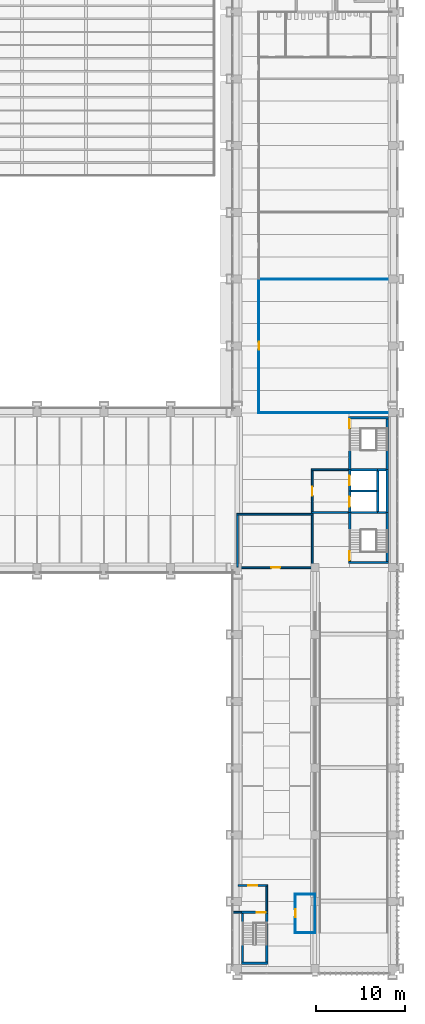
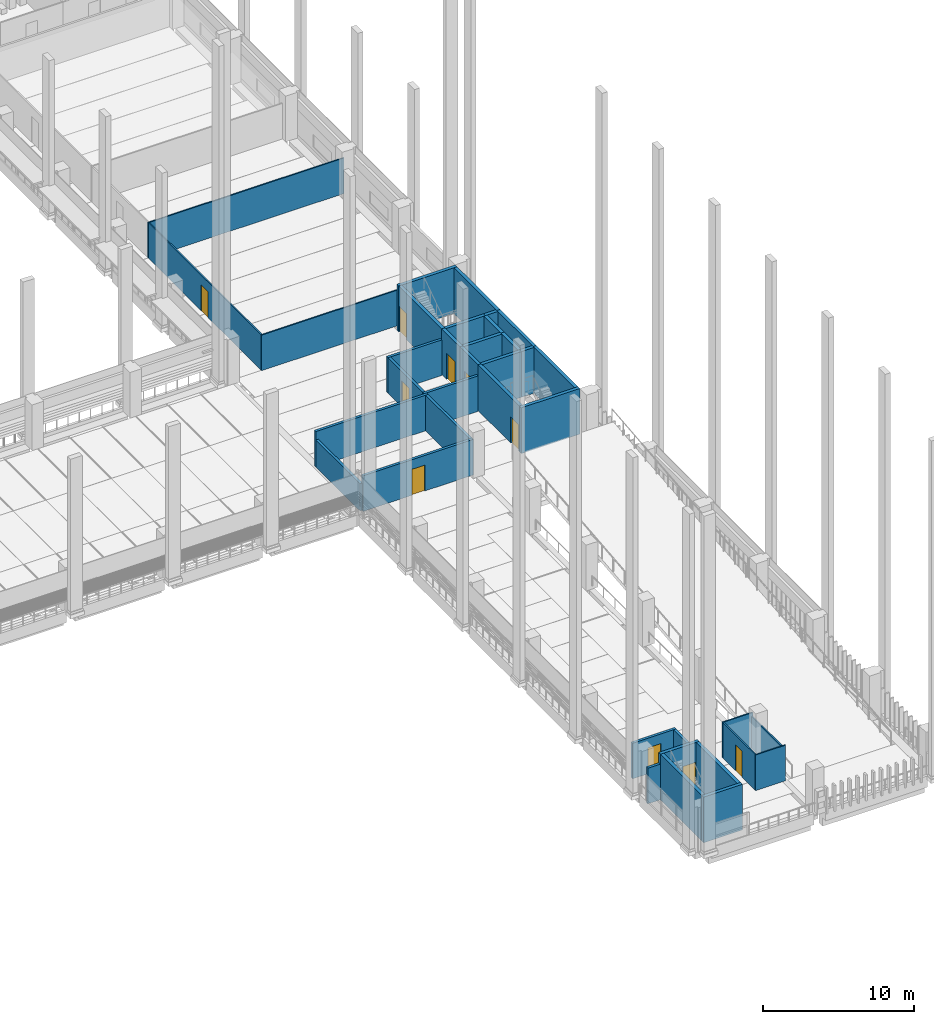
# One storey, part 39 of 67: 37 walls, 10 doors, 10 openings.
"""IFC4 building model written with IfcOpenShell, lengths in metres."""

from ifc_helpers import new_model, si_unit, direction, frame, frame_2d, origin, place, context, subcontext, project, spatial, rectangle, extrude, material, layer, layer_set, type_object, element, fill, save


model = new_model("IFC4")

# Units and contexts
model_context = context("Model", 3, precision=1e-05, world=origin(), true_north=direction((0.0, 1.0)))
body_context = subcontext(model_context, "Body", "Model", "MODEL_VIEW")
ifc_project = project(units=[si_unit("LENGTHUNIT", "METRE"), si_unit("AREAUNIT", "SQUARE_METRE"), si_unit("VOLUMEUNIT", "CUBIC_METRE"), si_unit("PLANEANGLEUNIT", "RADIAN"), si_unit("MASSUNIT", "GRAM", prefix="KILO")], contexts=[model_context])

# Site, building, storey
site_placement = place(None, origin())
site = spatial("IfcSite", under=ifc_project, at=site_placement, CompositionType="ELEMENT")
building_placement = place(site_placement, origin())
building = spatial("IfcBuilding", under=site, at=building_placement, Name="Cour d'Honneur Mobility Palace", CompositionType="ELEMENT")
storey_placement = place(building_placement, frame((0.0, 0.0, 4.5)))
storey = spatial("IfcBuildingStorey", under=building, at=storey_placement, Name="L01", CompositionType="ELEMENT", Elevation=4.5)

# Wall
ifc_material_1 = material(Name="Concrete C50", Category="concrete")
ifc_layer_1 = layer(ifc_material_1, 0.25)
ifc_layer_set_1 = layer_set([ifc_layer_1], Name="Concrete C50")
wall_type_1 = type_object("IfcWallType", Name="Lift shaft wall 250", PredefinedType="SHEAR", material=ifc_layer_set_1)
wall_1_placement = place(storey_placement, frame((157.625, 53.60009765625, 0.0), z_axis=(0.0, 0.0, 1.0), x_axis=(1.0, 0.0, 0.0)))
element("IfcWall", 1, at=wall_1_placement, inside=storey, type_object=wall_type_1, Name="Lift shaft wall WL-CE4 L01", PredefinedType="SHEAR", context=body_context, shape_type="SweptSolid", body=[
    extrude(rectangle(XDim=2.89990234375, YDim=0.25, at=frame_2d((1.449951171875, 0.0))), origin(), (0.0, 0.0, 1.0), 3.699951171875),
])

# Wall, opening, door
wall_2_placement = place(storey_placement, frame((157.5, 51.199951171875, 0.0), z_axis=(0.0, 0.0, 1.0), x_axis=(0.0, 1.0, 0.0)))
wall_2 = element("IfcWall", 2, at=wall_2_placement, inside=storey, type_object=wall_type_1, Name="Lift shaft wall WL-CE9 L01", PredefinedType="SHEAR", context=body_context, shape_type="SweptSolid", body=[
    extrude(rectangle(XDim=2.400146484375, YDim=0.25, at=frame_2d((1.2001953125, 0.0))), origin(), (0.0, 0.0, 1.0), 3.699951171875),
])
opening_1_placement = place(wall_2_placement, frame((0.64990234375, 0.0, 0.0)))
opening_1 = element("IfcOpeningElement", 3, at=opening_1_placement, cuts=wall_2, Name="Opening LD22", PredefinedType="OPENING", context=body_context, shape_type="SweptSolid", body=[
    extrude(rectangle(XDim=1.10009765625, YDim=2.10009765625, at=frame_2d((0.550048828125, 1.050048828125))), frame((0.0, 0.135009765625, 0.0), z_axis=(0.0, -1.0, 0.0), x_axis=(1.0, 0.0, 0.0)), (0.0, 0.0, 1.0), 0.27001953125),
])
ifc_material_2 = material(Name="Stainless steel", Category="steel")
door_type_1 = type_object("IfcDoorType", Name="Landing door 1100 x 2100", OperationType="SLIDING_TO_LEFT", PredefinedType="DOOR", material=ifc_material_2)
door_1_placement = place(opening_1_placement, origin())
door_1 = element("IfcDoor", 4, at=door_1_placement, inside=storey, type_object=door_type_1, Name="Landing door LF-CE1 L01", OperationType="SLIDING_TO_LEFT", OverallHeight=2.10009765625, OverallWidth=1.10009765625, PredefinedType="DOOR", context=body_context, shape_type="SweptSolid", body=[
    extrude(rectangle(XDim=1.10009765625, YDim=2.10009765625, at=frame_2d((0.550048828125, 1.050048828125))), frame((0.0, 0.02490234375, 0.0), z_axis=(0.0, -1.0, 0.0), x_axis=(1.0, 0.0, 0.0)), (0.0, 0.0, 1.0), 0.050048828125),
])
fill(opening_1, door_1)

wall_3_placement = place(storey_placement, frame((157.5, 53.60009765625, 0.0), z_axis=(0.0, 0.0, 1.0), x_axis=(0.0, 1.0, 0.0)))
wall_3 = element("IfcWall", 5, at=wall_3_placement, inside=storey, type_object=wall_type_1, Name="Lift shaft wall WL-CE10 L01", PredefinedType="SHEAR", context=body_context, shape_type="SweptSolid", body=[
    extrude(rectangle(XDim=2.39990234375, YDim=0.25, at=frame_2d((1.199951171875, 0.0))), origin(), (0.0, 0.0, 1.0), 3.699951171875),
])
opening_2_placement = place(wall_3_placement, frame((0.64990234375, 0.0, 0.0)))
opening_2 = element("IfcOpeningElement", 6, at=opening_2_placement, cuts=wall_3, Name="Opening LD32", PredefinedType="OPENING", context=body_context, shape_type="SweptSolid", body=[
    extrude(rectangle(XDim=1.10009765625, YDim=2.10009765625, at=frame_2d((0.550048828125, 1.050048828125))), frame((0.0, 0.135009765625, 0.0), z_axis=(0.0, -1.0, 0.0), x_axis=(1.0, 0.0, 0.0)), (0.0, 0.0, 1.0), 0.27001953125),
])
door_2_placement = place(opening_2_placement, origin())
door_2 = element("IfcDoor", 7, at=door_2_placement, inside=storey, type_object=door_type_1, Name="Landing door LF-CE2 L01", OperationType="SLIDING_TO_LEFT", OverallHeight=2.10009765625, OverallWidth=1.10009765625, PredefinedType="DOOR", context=body_context, shape_type="SweptSolid", body=[
    extrude(rectangle(XDim=1.10009765625, YDim=2.10009765625, at=frame_2d((0.550048828125, 1.050048828125))), frame((0.0, 0.02490234375, 0.0), z_axis=(0.0, -1.0, 0.0), x_axis=(1.0, 0.0, 0.0)), (0.0, 0.0, 1.0), 0.050048828125),
])
fill(opening_2, door_2)

# Walls
wall_4_placement = place(storey_placement, frame((160.64990234375, 51.324951171875, 0.0), z_axis=(0.0, 0.0, 1.0), x_axis=(0.0, 1.0, 0.0)))
element("IfcWall", 8, at=wall_4_placement, inside=storey, type_object=wall_type_1, Name="Lift shaft wall WL-CE12 L01", PredefinedType="SHEAR", context=body_context, shape_type="SweptSolid", body=[
    extrude(rectangle(XDim=2.275146484375, YDim=0.25, at=frame_2d((1.1376953125, 0.0))), origin(), (0.0, 0.0, 1.0), 3.699951171875),
])
wall_5_placement = place(storey_placement, frame((160.64990234375, 53.60009765625, 0.0), z_axis=(0.0, 0.0, 1.0), x_axis=(0.0, 1.0, 0.0)))
element("IfcWall", 9, at=wall_5_placement, inside=storey, type_object=wall_type_1, Name="Lift shaft wall WL-CE13 L01", PredefinedType="SHEAR", context=body_context, shape_type="SweptSolid", body=[
    extrude(rectangle(XDim=2.27490234375, YDim=0.25, at=frame_2d((1.137451171875, 0.0))), origin(), (0.0, 0.0, 1.0), 3.699951171875),
])
ifc_material_3 = material(Name="Gypsum plasterboard")
ifc_layer_2 = layer(ifc_material_3, 0.10009765625)
ifc_layer_set_2 = layer_set([ifc_layer_2], Name="Gypsum plasterboard")
wall_type_2 = type_object("IfcWallType", Name="Partition 100", PredefinedType="PARTITIONING", material=ifc_layer_set_2)
wall_6_placement = place(storey_placement, frame((151.35009765625, 4.0, 0.0), z_axis=(0.0, 0.0, 1.0), x_axis=(1.0, 0.0, 0.0)))
element("IfcWall", 10, at=wall_6_placement, inside=storey, type_object=wall_type_2, Name="Partition 003", PredefinedType="PARTITIONING", context=body_context, shape_type="SweptSolid", body=[
    extrude(rectangle(XDim=2.2998046875, YDim=0.10009765625, at=frame_2d((1.14990234375, 0.0))), origin(), (0.0, 0.0, 1.0), 2.8798828125),
])

# Wall, opening, door
wall_7_placement = place(storey_placement, frame((151.39990234375, 8.300048828125, 0.0), z_axis=(0.0, 0.0, 1.0), x_axis=(0.0, -1.0, 0.0)))
wall_7 = element("IfcWall", 11, at=wall_7_placement, inside=storey, type_object=wall_type_2, Name="Partition 010", PredefinedType="PARTITIONING", context=body_context, shape_type="SweptSolid", body=[
    extrude(rectangle(XDim=4.25, YDim=0.10009765625, at=frame_2d((2.125, 0.0))), origin(), (0.0, 0.0, 1.0), 2.8798828125),
])
opening_3_placement = place(wall_7_placement, frame((1.675048828125, 0.0, 0.0)))
opening_3 = element("IfcOpeningElement", 12, at=opening_3_placement, cuts=wall_7, Name="Opening D0110", PredefinedType="OPENING", context=body_context, shape_type="SweptSolid", body=[
    extrude(rectangle(XDim=0.89990234375, YDim=2.10009765625, at=frame_2d((0.449951171875, 1.050048828125))), frame((0.0, 0.06005859375, 0.0), z_axis=(0.0, -1.0, 0.0), x_axis=(1.0, 0.0, 0.0)), (0.0, 0.0, 1.0), 0.1201171875),
])
ifc_material_4 = material(Name="Solid timber", Category="wood")
door_type_2 = type_object("IfcDoorType", Name="Single door 900 x 2100", OperationType="SINGLE_SWING_LEFT", PredefinedType="DOOR", material=ifc_material_4)
door_3_placement = place(opening_3_placement, origin())
door_3 = element("IfcDoor", 13, at=door_3_placement, inside=storey, type_object=door_type_2, Name="Door Attendant Room East", OperationType="SINGLE_SWING_RIGHT", OverallHeight=2.10009765625, OverallWidth=0.89990234375, PredefinedType="DOOR", context=body_context, shape_type="SweptSolid", body=[
    extrude(rectangle(XDim=0.89990234375, YDim=2.10009765625, at=frame_2d((0.449951171875, 1.050048828125))), frame((0.0, 0.02490234375, 0.0), z_axis=(0.0, -1.0, 0.0), x_axis=(1.0, 0.0, 0.0)), (0.0, 0.0, 1.0), 0.050048828125),
])
fill(opening_3, door_3)

# Walls
wall_8_placement = place(storey_placement, frame((153.64990234375, 8.35009765625, 0.0), z_axis=(0.0, 0.0, 1.0), x_axis=(-1.0, 0.0, 0.0)))
element("IfcWall", 14, at=wall_8_placement, inside=storey, type_object=wall_type_2, Name="Partition 011", PredefinedType="PARTITIONING", context=body_context, shape_type="SweptSolid", body=[
    extrude(rectangle(XDim=2.2998046875, YDim=0.10009765625, at=frame_2d((1.14990234375, 0.0))), origin(), (0.0, 0.0, 1.0), 2.8798828125),
])
wall_9_placement = place(storey_placement, frame((147.25, 62.39990234375, 0.0), z_axis=(0.0, 0.0, 1.0), x_axis=(1.0, 0.0, 0.0)))
element("IfcWall", 15, at=wall_9_placement, inside=storey, type_object=wall_type_2, Name="Partition 043", PredefinedType="PARTITIONING", context=body_context, shape_type="SweptSolid", body=[
    extrude(rectangle(XDim=14.989990234375, YDim=0.10009765625, at=frame_2d((7.4951171875, 0.0))), origin(), (0.0, 0.0, 1.0), 2.8798828125),
])

# Wall, opening, door
wall_10_placement = place(storey_placement, frame((147.300048828125, 77.35009765625, 0.0), z_axis=(0.0, 0.0, 1.0), x_axis=(0.0, -1.0, 0.0)))
wall_10 = element("IfcWall", 16, at=wall_10_placement, inside=storey, type_object=wall_type_2, Name="Partition 044", PredefinedType="PARTITIONING", context=body_context, shape_type="SweptSolid", body=[
    extrude(rectangle(XDim=14.900146484375, YDim=0.10009765625, at=frame_2d((7.4501953125, 0.0))), origin(), (0.0, 0.0, 1.0), 2.8798828125),
])
opening_4_placement = place(wall_10_placement, frame((7.0, 0.0, 0.0)))
opening_4 = element("IfcOpeningElement", 17, at=opening_4_placement, cuts=wall_10, Name="Opening D0120", PredefinedType="OPENING", context=body_context, shape_type="SweptSolid", body=[
    extrude(rectangle(XDim=0.89990234375, YDim=2.10009765625, at=frame_2d((0.449951171875, 1.050048828125))), frame((0.0, 0.06005859375, 0.0), z_axis=(0.0, -1.0, 0.0), x_axis=(1.0, 0.0, 0.0)), (0.0, 0.0, 1.0), 0.1201171875),
])
door_4_placement = place(opening_4_placement, origin())
door_4 = element("IfcDoor", 18, at=door_4_placement, inside=storey, type_object=door_type_2, Name="Door Diagnostics Bay", OperationType="SINGLE_SWING_LEFT", OverallHeight=2.10009765625, OverallWidth=0.89990234375, PredefinedType="DOOR", context=body_context, shape_type="SweptSolid", body=[
    extrude(rectangle(XDim=0.89990234375, YDim=2.10009765625, at=frame_2d((0.449951171875, 1.050048828125))), frame((0.0, 0.02490234375, 0.0), z_axis=(0.0, -1.0, 0.0), x_axis=(1.0, 0.0, 0.0)), (0.0, 0.0, 1.0), 0.050048828125),
])
fill(opening_4, door_4)

# Walls
wall_11_placement = place(storey_placement, frame((162.239990234375, 77.39990234375, 0.0), z_axis=(0.0, 0.0, 1.0), x_axis=(-1.0, 0.0, 0.0)))
element("IfcWall", 19, at=wall_11_placement, inside=storey, type_object=wall_type_2, Name="Partition 045", PredefinedType="PARTITIONING", context=body_context, shape_type="SweptSolid", body=[
    extrude(rectangle(XDim=14.989990234375, YDim=0.10009765625, at=frame_2d((7.4951171875, 0.0))), origin(), (0.0, 0.0, 1.0), 2.8798828125),
])
ifc_material_5 = material(Name="Gypsum plasterboard")
ifc_layer_3 = layer(ifc_material_5, 0.10009765625)
ifc_layer_set_3 = layer_set([ifc_layer_3], Name="Gypsum plasterboard")
wall_type_3 = type_object("IfcWallType", Name="Partition 100 under beam 1100", PredefinedType="PARTITIONING", material=ifc_layer_set_3)
wall_12_placement = place(storey_placement, frame((153.60009765625, 4.050048828125, 0.0), z_axis=(0.0, 0.0, 1.0), x_axis=(0.0, 1.0, 0.0)))
element("IfcWall", 20, at=wall_12_placement, inside=storey, type_object=wall_type_3, Name="Partition 004", PredefinedType="PARTITIONING", context=body_context, shape_type="SweptSolid", body=[
    extrude(rectangle(XDim=4.25, YDim=0.10009765625, at=frame_2d((2.125, 0.0))), origin(), (0.0, 0.0, 1.0), 2.60009765625),
])
ifc_material_6 = material(Name="Gypsum plasterboard")
ifc_layer_4 = layer(ifc_material_6, 0.199951171875)
ifc_layer_set_4 = layer_set([ifc_layer_4], Name="Gypsum plasterboard")
wall_type_4 = type_object("IfcWallType", Name="Partition 200 rated EI 120", PredefinedType="PARTITIONING", material=ifc_layer_set_4)
wall_13_placement = place(storey_placement, frame((144.39990234375, 6.300048828125, 0.0), z_axis=(0.0, 0.0, 1.0), x_axis=(1.0, 0.0, 0.0)))
element("IfcWall", 21, at=wall_13_placement, inside=storey, type_object=wall_type_4, Name="Partition 006", PredefinedType="PARTITIONING", context=body_context, shape_type="SweptSolid", body=[
    extrude(rectangle(XDim=0.9501953125, YDim=0.199951171875, at=frame_2d((0.47509765625, 0.0))), origin(), (0.0, 0.0, 1.0), 2.8798828125),
])
wall_14_placement = place(storey_placement, frame((148.199951171875, 6.47509765625, 0.0), z_axis=(0.0, 0.0, 1.0), x_axis=(0.0, 1.0, 0.0)))
element("IfcWall", 22, at=wall_14_placement, inside=storey, type_object=wall_type_4, Name="Partition 007", PredefinedType="PARTITIONING", context=body_context, shape_type="SweptSolid", body=[
    extrude(rectangle(XDim=2.724853515625, YDim=0.199951171875, at=frame_2d((1.3623046875, 0.0))), origin(), (0.0, 0.0, 1.0), 2.8798828125),
])

# Wall, opening, door
wall_15_placement = place(storey_placement, frame((148.300048828125, 9.300048828125, 0.0), z_axis=(0.0, 0.0, 1.0), x_axis=(-1.0, 0.0, 0.0)))
wall_15 = element("IfcWall", 23, at=wall_15_placement, inside=storey, type_object=wall_type_4, Name="Partition 014", PredefinedType="PARTITIONING", context=body_context, shape_type="SweptSolid", body=[
    extrude(rectangle(XDim=3.340087890625, YDim=0.199951171875, at=frame_2d((1.669921875, 0.0))), origin(), (0.0, 0.0, 1.0), 2.8798828125),
])
opening_5_placement = place(wall_15_placement, frame((1.169921875, 0.0, 0.0)))
opening_5 = element("IfcOpeningElement", 24, at=opening_5_placement, cuts=wall_15, Name="Opening D0108", PredefinedType="OPENING", context=body_context, shape_type="SweptSolid", body=[
    extrude(rectangle(XDim=1.0, YDim=2.10009765625, at=frame_2d((0.5, 1.050048828125))), frame((0.0, 0.10986328125, 0.0), z_axis=(0.0, -1.0, 0.0), x_axis=(1.0, 0.0, 0.0)), (0.0, 0.0, 1.0), 0.219970703125),
])
ifc_material_7 = material(Name="Galvanised steel", Category="steel")
door_type_3 = type_object("IfcDoorType", Name="Fire door FD120 1000 x 2100", OperationType="SINGLE_SWING_LEFT", PredefinedType="DOOR", material=ifc_material_7)
door_5_placement = place(opening_5_placement, origin())
door_5 = element("IfcDoor", 25, at=door_5_placement, inside=storey, type_object=door_type_3, Name="Door Stair Lobby RE", OperationType="SINGLE_SWING_RIGHT", OverallHeight=2.10009765625, OverallWidth=1.0, PredefinedType="DOOR", context=body_context, shape_type="SweptSolid", body=[
    extrude(rectangle(XDim=1.0, YDim=2.10009765625, at=frame_2d((0.5, 1.050048828125))), frame((0.0, 0.02490234375, 0.0), z_axis=(0.0, -1.0, 0.0), x_axis=(1.0, 0.0, 0.0)), (0.0, 0.0, 1.0), 0.050048828125),
])
fill(opening_5, door_5)

wall_16_placement = place(storey_placement, frame((144.9599609375, 45.0, 0.0), z_axis=(0.0, 0.0, 1.0), x_axis=(1.0, 0.0, 0.0)))
wall_16 = element("IfcWall", 26, at=wall_16_placement, inside=storey, type_object=wall_type_4, Name="Partition 016", PredefinedType="PARTITIONING", context=body_context, shape_type="SweptSolid", body=[
    extrude(rectangle(XDim=8.43994140625, YDim=0.199951171875, at=frame_2d((4.219970703125, 0.0))), origin(), (0.0, 0.0, 1.0), 2.8798828125),
])
opening_6_placement = place(wall_16_placement, frame((3.719970703125, 0.0, 0.0)))
opening_6 = element("IfcOpeningElement", 27, at=opening_6_placement, cuts=wall_16, Name="Opening D0112", PredefinedType="OPENING", context=body_context, shape_type="SweptSolid", body=[
    extrude(rectangle(XDim=1.0, YDim=2.10009765625, at=frame_2d((0.5, 1.050048828125))), frame((0.0, 0.10986328125, 0.0), z_axis=(0.0, -1.0, 0.0), x_axis=(1.0, 0.0, 0.0)), (0.0, 0.0, 1.0), 0.219970703125),
])
door_6_placement = place(opening_6_placement, origin())
door_6 = element("IfcDoor", 28, at=door_6_placement, inside=storey, type_object=door_type_3, Name="Door EV Switch Room East", OperationType="SINGLE_SWING_LEFT", OverallHeight=2.10009765625, OverallWidth=1.0, PredefinedType="DOOR", context=body_context, shape_type="SweptSolid", body=[
    extrude(rectangle(XDim=1.0, YDim=2.10009765625, at=frame_2d((0.5, 1.050048828125))), frame((0.0, 0.02490234375, 0.0), z_axis=(0.0, -1.0, 0.0), x_axis=(1.0, 0.0, 0.0)), (0.0, 0.0, 1.0), 0.050048828125),
])
fill(opening_6, door_6)

# Walls
wall_17_placement = place(storey_placement, frame((153.300048828125, 45.10009765625, 0.0), z_axis=(0.0, 0.0, 1.0), x_axis=(0.0, 1.0, 0.0)))
element("IfcWall", 29, at=wall_17_placement, inside=storey, type_object=wall_type_4, Name="Partition 017", PredefinedType="PARTITIONING", context=body_context, shape_type="SweptSolid", body=[
    extrude(rectangle(XDim=5.7998046875, YDim=0.199951171875, at=frame_2d((2.89990234375, 0.0))), origin(), (0.0, 0.0, 1.0), 2.8798828125),
])
wall_18_placement = place(storey_placement, frame((153.39990234375, 51.0, 0.0), z_axis=(0.0, 0.0, 1.0), x_axis=(-1.0, 0.0, 0.0)))
element("IfcWall", 30, at=wall_18_placement, inside=storey, type_object=wall_type_4, Name="Partition 027", PredefinedType="PARTITIONING", context=body_context, shape_type="SweptSolid", body=[
    extrude(rectangle(XDim=8.599853515625, YDim=0.199951171875, at=frame_2d((4.2998046875, 0.0))), origin(), (0.0, 0.0, 1.0), 2.8798828125),
])
wall_19_placement = place(storey_placement, frame((153.199951171875, 51.199951171875, 0.0), z_axis=(0.0, 0.0, 1.0), x_axis=(1.0, 0.0, 0.0)))
element("IfcWall", 31, at=wall_19_placement, inside=storey, type_object=wall_type_4, Name="Partition 030", PredefinedType="PARTITIONING", context=body_context, shape_type="SweptSolid", body=[
    extrude(rectangle(XDim=4.125, YDim=0.199951171875, at=frame_2d((2.0625, 0.0))), origin(), (0.0, 0.0, 1.0), 2.8798828125),
])

# Wall, opening, door
wall_20_placement = place(storey_placement, frame((153.300048828125, 55.89990234375, 0.0), z_axis=(0.0, 0.0, 1.0), x_axis=(0.0, -1.0, 0.0)))
wall_20 = element("IfcWall", 32, at=wall_20_placement, inside=storey, type_object=wall_type_4, Name="Partition 038", PredefinedType="PARTITIONING", context=body_context, shape_type="SweptSolid", body=[
    extrude(rectangle(XDim=4.599853515625, YDim=0.199951171875, at=frame_2d((2.2998046875, 0.0))), origin(), (0.0, 0.0, 1.0), 2.8798828125),
])
opening_7_placement = place(wall_20_placement, frame((1.800048828125, 0.0, 0.0)))
opening_7 = element("IfcOpeningElement", 33, at=opening_7_placement, cuts=wall_20, Name="Opening D0128", PredefinedType="OPENING", context=body_context, shape_type="SweptSolid", body=[
    extrude(rectangle(XDim=1.0, YDim=2.10009765625, at=frame_2d((0.5, 1.050048828125))), frame((0.0, 0.10986328125, 0.0), z_axis=(0.0, -1.0, 0.0), x_axis=(1.0, 0.0, 0.0)), (0.0, 0.0, 1.0), 0.219970703125),
])
door_7_placement = place(opening_7_placement, origin())
door_7 = element("IfcDoor", 34, at=door_7_placement, inside=storey, type_object=door_type_3, Name="Door Firefighting Lobby CE", OperationType="SINGLE_SWING_LEFT", OverallHeight=2.10009765625, OverallWidth=1.0, PredefinedType="DOOR", context=body_context, shape_type="SweptSolid", body=[
    extrude(rectangle(XDim=1.0, YDim=2.10009765625, at=frame_2d((0.5, 1.050048828125))), frame((0.0, 0.02490234375, 0.0), z_axis=(0.0, -1.0, 0.0), x_axis=(1.0, 0.0, 0.0)), (0.0, 0.0, 1.0), 0.050048828125),
])
fill(opening_7, door_7)

# Walls
wall_21_placement = place(storey_placement, frame((157.324951171875, 56.0, 0.0), z_axis=(0.0, 0.0, 1.0), x_axis=(-1.0, 0.0, 0.0)))
element("IfcWall", 35, at=wall_21_placement, inside=storey, type_object=wall_type_4, Name="Partition 039", PredefinedType="PARTITIONING", context=body_context, shape_type="SweptSolid", body=[
    extrude(rectangle(XDim=4.125, YDim=0.199951171875, at=frame_2d((2.0625, 0.0))), origin(), (0.0, 0.0, 1.0), 2.8798828125),
])
ifc_material_8 = material(Name="Gypsum plasterboard")
ifc_layer_5 = layer(ifc_material_8, 0.199951171875)
ifc_layer_set_5 = layer_set([ifc_layer_5], Name="Gypsum plasterboard")
wall_type_5 = type_object("IfcWallType", Name="Partition 200 rated EI 120 under beam 1500", PredefinedType="PARTITIONING", material=ifc_layer_set_5)
wall_22_placement = place(storey_placement, frame((144.89990234375, 50.89990234375, 0.0), z_axis=(0.0, 0.0, 1.0), x_axis=(0.0, -1.0, 0.0)))
element("IfcWall", 36, at=wall_22_placement, inside=storey, type_object=wall_type_5, Name="Partition 026", PredefinedType="PARTITIONING", context=body_context, shape_type="SweptSolid", body=[
    extrude(rectangle(XDim=5.83984375, YDim=0.199951171875, at=frame_2d((2.919921875, 0.0))), origin(), (0.0, 0.0, 1.0), 2.199951171875),
])
ifc_material_9 = material(Name="Concrete C50", Category="concrete")
ifc_layer_6 = layer(ifc_material_9, 0.25)
ifc_layer_set_6 = layer_set([ifc_layer_6], Name="Concrete C50")
wall_type_6 = type_object("IfcWallType", Name="Shaft wall 250", PredefinedType="SHEAR", material=ifc_layer_set_6)
wall_23_placement = place(storey_placement, frame((161.72509765625, 51.199951171875, 0.0), z_axis=(0.0, 0.0, 1.0), x_axis=(0.0, 1.0, 0.0)))
element("IfcWall", 37, at=wall_23_placement, inside=storey, type_object=wall_type_6, Name="Shaft wall WR-CE15 L01", PredefinedType="SHEAR", context=body_context, shape_type="SweptSolid", body=[
    extrude(rectangle(XDim=4.800048828125, YDim=0.25, at=frame_2d((2.39990234375, 0.0))), origin(), (0.0, 0.0, 1.0), 3.699951171875),
])
ifc_material_10 = material(Name="Concrete C50", Category="concrete")
ifc_layer_7 = layer(ifc_material_10, 0.25)
ifc_layer_set_7 = layer_set([ifc_layer_7], Name="Concrete C50")
wall_type_7 = type_object("IfcWallType", Name="Stair wall 250", PredefinedType="SHEAR", material=ifc_layer_set_7)
wall_24_placement = place(storey_placement, frame((157.375, 45.574951171875, 0.0), z_axis=(0.0, 0.0, 1.0), x_axis=(1.0, 0.0, 0.0)))
element("IfcWall", 38, at=wall_24_placement, inside=storey, type_object=wall_type_7, Name="Stair wall WS-CE1 L01", PredefinedType="SHEAR", context=body_context, shape_type="SweptSolid", body=[
    extrude(rectangle(XDim=4.47509765625, YDim=0.25, at=frame_2d((2.237548828125, 0.0))), origin(), (0.0, 0.0, 1.0), 3.699951171875),
])
wall_25_placement = place(storey_placement, frame((157.625, 51.199951171875, 0.0), z_axis=(0.0, 0.0, 1.0), x_axis=(1.0, 0.0, 0.0)))
element("IfcWall", 39, at=wall_25_placement, inside=storey, type_object=wall_type_7, Name="Stair wall WS-CE2 L01", PredefinedType="SHEAR", context=body_context, shape_type="SweptSolid", body=[
    extrude(rectangle(XDim=3.02490234375, YDim=0.25, at=frame_2d((1.512451171875, 0.0))), origin(), (0.0, 0.0, 1.0), 3.699951171875),
])
wall_26_placement = place(storey_placement, frame((160.64990234375, 51.199951171875, 0.0), z_axis=(0.0, 0.0, 1.0), x_axis=(1.0, 0.0, 0.0)))
element("IfcWall", 40, at=wall_26_placement, inside=storey, type_object=wall_type_7, Name="Stair wall WS-CE3 L01", PredefinedType="SHEAR", context=body_context, shape_type="SweptSolid", body=[
    extrude(rectangle(XDim=0.9501953125, YDim=0.25, at=frame_2d((0.47509765625, 0.0))), origin(), (0.0, 0.0, 1.0), 3.699951171875),
])
wall_27_placement = place(storey_placement, frame((157.625, 56.0, 0.0), z_axis=(0.0, 0.0, 1.0), x_axis=(1.0, 0.0, 0.0)))
element("IfcWall", 41, at=wall_27_placement, inside=storey, type_object=wall_type_7, Name="Stair wall WS-CE5 L01", PredefinedType="SHEAR", context=body_context, shape_type="SweptSolid", body=[
    extrude(rectangle(XDim=3.02490234375, YDim=0.25, at=frame_2d((1.512451171875, 0.0))), origin(), (0.0, 0.0, 1.0), 3.699951171875),
])
wall_28_placement = place(storey_placement, frame((160.64990234375, 56.0, 0.0), z_axis=(0.0, 0.0, 1.0), x_axis=(1.0, 0.0, 0.0)))
element("IfcWall", 42, at=wall_28_placement, inside=storey, type_object=wall_type_7, Name="Stair wall WS-CE6 L01", PredefinedType="SHEAR", context=body_context, shape_type="SweptSolid", body=[
    extrude(rectangle(XDim=0.9501953125, YDim=0.25, at=frame_2d((0.47509765625, 0.0))), origin(), (0.0, 0.0, 1.0), 3.699951171875),
])
wall_29_placement = place(storey_placement, frame((157.375, 61.824951171875, 0.0), z_axis=(0.0, 0.0, 1.0), x_axis=(1.0, 0.0, 0.0)))
element("IfcWall", 43, at=wall_29_placement, inside=storey, type_object=wall_type_7, Name="Stair wall WS-CE7 L01", PredefinedType="SHEAR", context=body_context, shape_type="SweptSolid", body=[
    extrude(rectangle(XDim=4.47509765625, YDim=0.25, at=frame_2d((2.237548828125, 0.0))), origin(), (0.0, 0.0, 1.0), 3.699951171875),
])

# Wall, opening, door
wall_30_placement = place(storey_placement, frame((157.5, 45.699951171875, 0.0), z_axis=(0.0, 0.0, 1.0), x_axis=(0.0, 1.0, 0.0)))
wall_30 = element("IfcWall", 44, at=wall_30_placement, inside=storey, type_object=wall_type_7, Name="Stair wall WS-CE8 L01", PredefinedType="SHEAR", context=body_context, shape_type="SweptSolid", body=[
    extrude(rectangle(XDim=5.5, YDim=0.25, at=frame_2d((2.75, 0.0))), origin(), (0.0, 0.0, 1.0), 3.699951171875),
])
opening_8_placement = place(wall_30_placement, frame((0.14990234375, 0.0, 0.0)))
opening_8 = element("IfcOpeningElement", 45, at=opening_8_placement, cuts=wall_30, Name="Opening S140", PredefinedType="OPENING", context=body_context, shape_type="SweptSolid", body=[
    extrude(rectangle(XDim=1.0, YDim=2.10009765625, at=frame_2d((0.5, 1.050048828125))), frame((0.0, 0.135009765625, 0.0), z_axis=(0.0, -1.0, 0.0), x_axis=(1.0, 0.0, 0.0)), (0.0, 0.0, 1.0), 0.27001953125),
])
ifc_material_11 = material(Name="Galvanised steel", Category="steel")
door_type_4 = type_object("IfcDoorType", Name="Fire door FD120 stair 1000 x 2100", OperationType="SINGLE_SWING_LEFT", PredefinedType="DOOR", material=ifc_material_11)
door_8_placement = place(opening_8_placement, origin())
door_8 = element("IfcDoor", 46, at=door_8_placement, inside=storey, type_object=door_type_4, Name="Stair door ST-CE1 L01", OperationType="SINGLE_SWING_LEFT", OverallHeight=2.10009765625, OverallWidth=1.0, PredefinedType="DOOR", context=body_context, shape_type="SweptSolid", body=[
    extrude(rectangle(XDim=1.0, YDim=2.10009765625, at=frame_2d((0.5, 1.050048828125))), frame((0.0, 0.02490234375, 0.0), z_axis=(0.0, -1.0, 0.0), x_axis=(1.0, 0.0, 0.0)), (0.0, 0.0, 1.0), 0.050048828125),
])
fill(opening_8, door_8)

wall_31_placement = place(storey_placement, frame((157.5, 56.0, 0.0), z_axis=(0.0, 0.0, 1.0), x_axis=(0.0, 1.0, 0.0)))
wall_31 = element("IfcWall", 47, at=wall_31_placement, inside=storey, type_object=wall_type_7, Name="Stair wall WS-CE11 L01", PredefinedType="SHEAR", context=body_context, shape_type="SweptSolid", body=[
    extrude(rectangle(XDim=5.699951171875, YDim=0.25, at=frame_2d((2.85009765625, 0.0))), origin(), (0.0, 0.0, 1.0), 3.699951171875),
])
opening_9_placement = place(wall_31_placement, frame((4.675048828125, 0.0, 0.0)))
opening_9 = element("IfcOpeningElement", 48, at=opening_9_placement, cuts=wall_31, Name="Opening S76", PredefinedType="OPENING", context=body_context, shape_type="SweptSolid", body=[
    extrude(rectangle(XDim=1.0, YDim=2.10009765625, at=frame_2d((0.5, 1.050048828125))), frame((0.0, 0.135009765625, 0.0), z_axis=(0.0, -1.0, 0.0), x_axis=(1.0, 0.0, 0.0)), (0.0, 0.0, 1.0), 0.27001953125),
])
door_9_placement = place(opening_9_placement, origin())
door_9 = element("IfcDoor", 49, at=door_9_placement, inside=storey, type_object=door_type_4, Name="Stair door ST-CE2 L01", OperationType="SINGLE_SWING_RIGHT", OverallHeight=2.10009765625, OverallWidth=1.0, PredefinedType="DOOR", context=body_context, shape_type="SweptSolid", body=[
    extrude(rectangle(XDim=1.0, YDim=2.10009765625, at=frame_2d((0.5, 1.050048828125))), frame((0.0, 0.02490234375, 0.0), z_axis=(0.0, -1.0, 0.0), x_axis=(1.0, 0.0, 0.0)), (0.0, 0.0, 1.0), 0.050048828125),
])
fill(opening_9, door_9)

# Walls
wall_32_placement = place(storey_placement, frame((161.72509765625, 45.699951171875, 0.0), z_axis=(0.0, 0.0, 1.0), x_axis=(0.0, 1.0, 0.0)))
element("IfcWall", 50, at=wall_32_placement, inside=storey, type_object=wall_type_7, Name="Stair wall WS-CE14 L01", PredefinedType="SHEAR", context=body_context, shape_type="SweptSolid", body=[
    extrude(rectangle(XDim=5.5, YDim=0.25, at=frame_2d((2.75, 0.0))), origin(), (0.0, 0.0, 1.0), 3.699951171875),
])
wall_33_placement = place(storey_placement, frame((161.72509765625, 56.0, 0.0), z_axis=(0.0, 0.0, 1.0), x_axis=(0.0, 1.0, 0.0)))
element("IfcWall", 51, at=wall_33_placement, inside=storey, type_object=wall_type_7, Name="Stair wall WS-CE16 L01", PredefinedType="SHEAR", context=body_context, shape_type="SweptSolid", body=[
    extrude(rectangle(XDim=5.699951171875, YDim=0.25, at=frame_2d((2.85009765625, 0.0))), origin(), (0.0, 0.0, 1.0), 3.699951171875),
])
wall_34_placement = place(storey_placement, frame((145.35009765625, 0.574951171875, 0.0), z_axis=(0.0, 0.0, 1.0), x_axis=(1.0, 0.0, 0.0)))
element("IfcWall", 52, at=wall_34_placement, inside=storey, type_object=wall_type_7, Name="Stair wall WS-RE1 L01", PredefinedType="SHEAR", context=body_context, shape_type="SweptSolid", body=[
    extrude(rectangle(XDim=2.974853515625, YDim=0.25, at=frame_2d((1.4873046875, 0.0))), origin(), (0.0, 0.0, 1.0), 3.699951171875),
])

# Wall, opening, door
wall_35_placement = place(storey_placement, frame((145.35009765625, 6.300048828125, 0.0), z_axis=(0.0, 0.0, 1.0), x_axis=(1.0, 0.0, 0.0)))
wall_35 = element("IfcWall", 53, at=wall_35_placement, inside=storey, type_object=wall_type_7, Name="Stair wall WS-RE2 L01", PredefinedType="SHEAR", context=body_context, shape_type="SweptSolid", body=[
    extrude(rectangle(XDim=2.974853515625, YDim=0.25, at=frame_2d((1.4873046875, 0.0))), origin(), (0.0, 0.0, 1.0), 3.699951171875),
])
opening_10_placement = place(wall_35_placement, frame((1.72509765625, 0.0, 0.0)))
opening_10 = element("IfcOpeningElement", 54, at=opening_10_placement, cuts=wall_35, Name="Opening S120", PredefinedType="OPENING", context=body_context, shape_type="SweptSolid", body=[
    extrude(rectangle(XDim=1.0, YDim=2.10009765625, at=frame_2d((0.5, 1.050048828125))), frame((0.0, 0.135009765625, 0.0), z_axis=(0.0, -1.0, 0.0), x_axis=(1.0, 0.0, 0.0)), (0.0, 0.0, 1.0), 0.27001953125),
])
door_10_placement = place(opening_10_placement, origin())
door_10 = element("IfcDoor", 55, at=door_10_placement, inside=storey, type_object=door_type_4, Name="Stair door ST-RE1 L01", OperationType="SINGLE_SWING_RIGHT", OverallHeight=2.10009765625, OverallWidth=1.0, PredefinedType="DOOR", context=body_context, shape_type="SweptSolid", body=[
    extrude(rectangle(XDim=1.0, YDim=2.10009765625, at=frame_2d((0.5, 1.050048828125))), frame((0.0, 0.02490234375, 0.0), z_axis=(0.0, -1.0, 0.0), x_axis=(1.0, 0.0, 0.0)), (0.0, 0.0, 1.0), 0.050048828125),
])
fill(opening_10, door_10)

# Walls
for number, where, z_axis, x_axis, name in (
    (56, (145.47509765625, 0.699951171875, 0.0), (0.0, 0.0, 1.0), (0.0, 1.0, 0.0), "Stair wall WS-RE3 L01"),
    (57, (148.199951171875, 0.699951171875, 0.0), (0.0, 0.0, 1.0), (0.0, 1.0, 0.0), "Stair wall WS-RE4 L01"),
):
    element("IfcWall", number, at=place(storey_placement, frame(where, z_axis=z_axis, x_axis=x_axis)), inside=storey, type_object=wall_type_7, Name=name, PredefinedType="SHEAR", context=body_context, shape_type="SweptSolid", body=[
        extrude(rectangle(XDim=5.47509765625, YDim=0.25, at=frame_2d((2.737548828125, 0.0))), origin(), (0.0, 0.0, 1.0), 3.699951171875),
    ])

save(model, "model.ifc")
